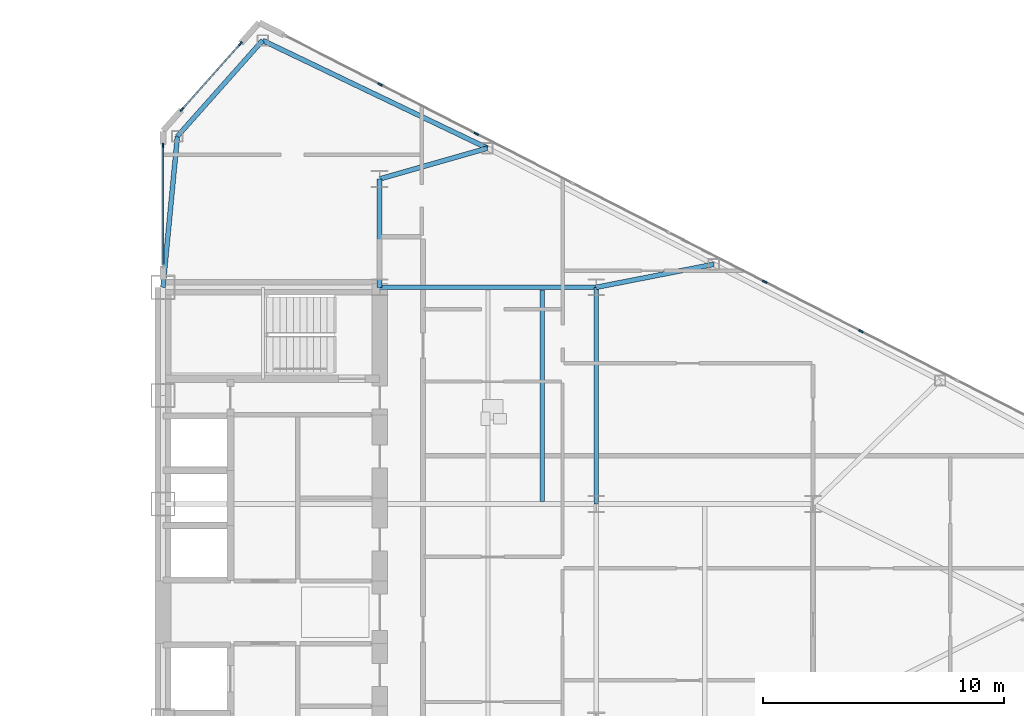
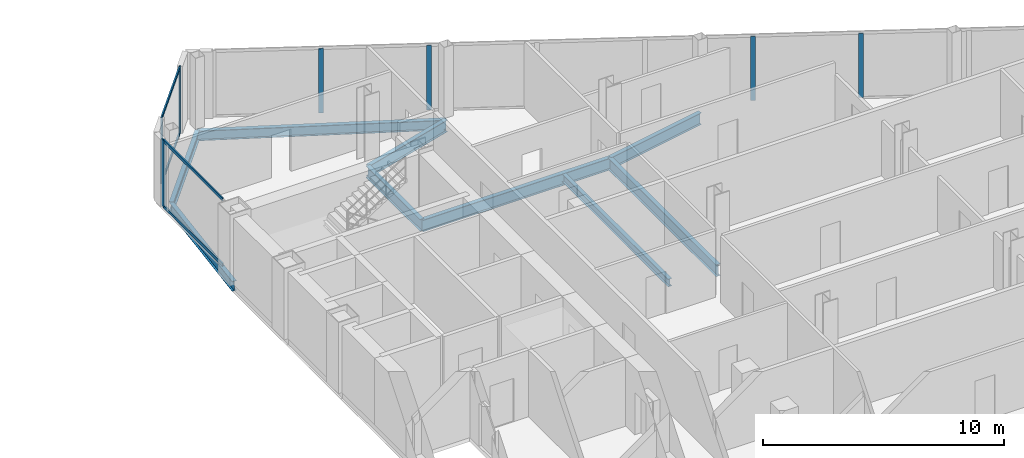
# One storey, part 11 of 24: 11 members, 9 beams, 3 elements without a shape of their own.
"""IFC4 building model written with IfcOpenShell, lengths in metres."""

from ifc_helpers import new_model, si_unit, direction, frame, origin, origin_2d, place, context, subcontext, project, spatial, rectangle, i_section, extrude, source, transform, mapped, material, layer, layer_set, material_profile, profile_set, type_object, type_shapes, element, aggregate, save


model = new_model("IFC4")

# Units and contexts
model_context = context("Model", 3, precision=1e-05, world=origin(), true_north=direction((0.0, 1.0)))
body_context = subcontext(model_context, "Body", "Model", "MODEL_VIEW")
ifc_project = project(units=[si_unit("LENGTHUNIT", "METRE"), si_unit("AREAUNIT", "SQUARE_METRE"), si_unit("VOLUMEUNIT", "CUBIC_METRE"), si_unit("PLANEANGLEUNIT", "RADIAN"), si_unit("MASSUNIT", "GRAM", prefix="KILO")], contexts=[model_context])

# Site, building, storey
site_placement = place(None, origin())
site = spatial("IfcSite", under=ifc_project, at=site_placement, CompositionType="ELEMENT")
building_placement = place(site_placement, origin())
building = spatial("IfcBuilding", under=site, at=building_placement, Name="Seokmaru Belvedere", CompositionType="ELEMENT")
storey_placement = place(building_placement, frame((0.0, 0.0, 114.0)))
storey = spatial("IfcBuildingStorey", under=building, at=storey_placement, Name="L30", CompositionType="ELEMENT", Elevation=114.0)

# Beams
ifc_material_1 = material(Name="Steel SM355 (355 MPa)", Category="steel")
ifc_material_profile_1 = material_profile(ifc_material_1, i_section(OverallWidth=0.199951171875, OverallDepth=0.60009765625, WebThickness=0.010986328125, FlangeThickness=0.01708984375, at=origin_2d()), Name="H-600x200x11x17")
ifc_profile_set_1 = profile_set([ifc_material_profile_1], Name="Steel SM355 (355 MPa)")
beam_type_1 = type_object("IfcBeamType", Name="Primary Floor Girder H-600", PredefinedType="BEAM", material=ifc_profile_set_1)
shared_shape_1 = source(origin(), body_context, "Body", "SweptSolid", [
    extrude(i_section(OverallWidth=0.199951171875, OverallDepth=0.60009765625, WebThickness=0.010986328125, FlangeThickness=0.01708984375, at=origin_2d()), origin(), (0.0, 0.0, 1.0), 9.0),
])
for number, where, z_axis, x_axis, name in (
    (1, (45.5, 4.5, -0.52001953125), (0.0, 1.0, 0.0), (-1.0, 0.0, 0.0), "L30 E Interior Grid Girder 3"),
    (2, (36.5, 13.5, -0.52001953125), (1.0, 0.0, 0.0), (0.0, 1.0, 0.0), "L30 E Wing Primary Girder 4"),
):
    element("IfcBeam", number, at=place(storey_placement, frame(where, z_axis=z_axis, x_axis=x_axis)), inside=storey, type_object=beam_type_1, Name=name, PredefinedType="BEAM", context=body_context, shape_type="MappedRepresentation", body=[
        mapped(shared_shape_1, transform((0.0, 0.0, 0.0), scale=1.0)),
    ])
ifc_material_profile_2 = material_profile(ifc_material_1, i_section(OverallWidth=0.18505859375, OverallDepth=0.389892578125, WebThickness=0.008056640625, FlangeThickness=0.011962890625, at=origin_2d()), Name="H-390x185x8x12")
ifc_profile_set_2 = profile_set([ifc_material_profile_2], Name="Steel SM355 (355 MPa)")
beam_type_2 = type_object("IfcBeamType", Name="Secondary Floor Joist H-350", PredefinedType="JOIST", material=ifc_profile_set_2)
shared_shape_2 = source(origin(), body_context, "Body", "SweptSolid", [
    extrude(i_section(OverallWidth=0.18505859375, OverallDepth=0.389892578125, WebThickness=0.008056640625, FlangeThickness=0.011962890625, at=origin_2d()), origin(), (0.0, 0.0, 1.0), 8.7900390625),
])
type_shapes(beam_type_2, [shared_shape_2])
beam_1_placement = place(storey_placement, frame((43.25, 4.60498046875, -0.4150390625), z_axis=(0.0, 1.0, 0.0), x_axis=(-1.0, 0.0, 0.0)))
element("IfcBeam", 3, at=beam_1_placement, inside=storey, type_object=beam_type_2, Name="L30 E Wing Inner Secondary Joist 2", PredefinedType="JOIST", context=body_context, shape_type="MappedRepresentation", body=[
    mapped(shared_shape_2, transform((0.0, 0.0, 0.0), scale=1.0)),
])
shared_shape_3 = source(origin(), body_context, "Body", "SweptSolid", [
    extrude(i_section(OverallWidth=0.199951171875, OverallDepth=0.60009765625, WebThickness=0.010986328125, FlangeThickness=0.01708984375, at=origin_2d()), origin(), (0.0, 0.0, 1.0), 4.5),
])
beam_2_placement = place(storey_placement, frame((36.5, 13.5, -0.52001953125), z_axis=(0.0, 1.0, 0.0), x_axis=(-1.0, 0.0, 0.0)))
element("IfcBeam", 4, at=beam_2_placement, inside=storey, type_object=beam_type_1, Name="L30 E Core Shoulder Girder N", PredefinedType="BEAM", context=body_context, shape_type="MappedRepresentation", body=[
    mapped(shared_shape_3, transform((0.0, 0.0, 0.0), scale=1.0)),
])
ifc_material_profile_3 = material_profile(ifc_material_1, i_section(OverallWidth=0.199951171875, OverallDepth=0.5, WebThickness=0.010009765625, FlangeThickness=0.01611328125, at=origin_2d()), Name="H-500x200x10x16")
ifc_profile_set_3 = profile_set([ifc_material_profile_3], Name="Steel SM355 (355 MPa)")
beam_type_3 = type_object("IfcBeamType", Name="Perimeter Spandrel Beam H-500", PredefinedType="SPANDREL", material=ifc_profile_set_3)
shared_shape_4 = source(origin(), body_context, "Body", "SweptSolid", [
    extrude(i_section(OverallWidth=0.199951171875, OverallDepth=0.5, WebThickness=0.010009765625, FlangeThickness=0.01611328125, at=origin_2d()), origin(), (0.0, 0.0, 1.0), 10.353759765625),
])
beam_3_placement = place(storey_placement, frame((31.6396484375, 23.75390625, -0.469970703125), z_axis=(0.901713202822, -0.432334708134, 0.0), x_axis=(0.432334708134, 0.901713202822, 0.0)))
element("IfcBeam", 5, at=beam_3_placement, inside=storey, type_object=beam_type_3, Name="L30 E Faceted Flank Spandrel N-1", PredefinedType="SPANDREL", context=body_context, shape_type="MappedRepresentation", body=[
    mapped(shared_shape_4, transform((0.0, 0.0, 0.0), scale=1.0)),
])
shared_shape_5 = source(origin(), body_context, "Body", "SweptSolid", [
    extrude(i_section(OverallWidth=0.199951171875, OverallDepth=0.5, WebThickness=0.010009765625, FlangeThickness=0.01611328125, at=origin_2d()), origin(), (0.0, 0.0, 1.0), 5.32763671875),
])
beam_4_placement = place(storey_placement, frame((31.6396484375, 23.75390625, -0.469970703125), z_axis=(-0.66436952742, -0.74740426212, 0.0), x_axis=(0.74740426212, -0.66436952742, 0.0)))
element("IfcBeam", 6, at=beam_4_placement, inside=storey, type_object=beam_type_3, Name="L30 E Shoulder Chamfer Spandrel N", PredefinedType="SPANDREL", context=body_context, shape_type="MappedRepresentation", body=[
    mapped(shared_shape_5, transform((0.0, 0.0, 0.0), scale=1.0)),
])
shared_shape_6 = source(origin(), body_context, "Body", "SweptSolid", [
    extrude(i_section(OverallWidth=0.199951171875, OverallDepth=0.5, WebThickness=0.010009765625, FlangeThickness=0.01611328125, at=origin_2d()), origin(), (0.0, 0.0, 1.0), 6.300537109375),
])
type_shapes(beam_type_3, [shared_shape_4, shared_shape_5, shared_shape_6])
beam_5_placement = place(storey_placement, frame((28.10009765625, 19.77197265625, -0.469970703125), z_axis=(-0.095244287992, -0.995453929424, 0.0), x_axis=(0.995453929424, -0.095244287992, 0.0)))
element("IfcBeam", 7, at=beam_5_placement, inside=storey, type_object=beam_type_3, Name="L30 E Shoulder Spine Spandrel N", PredefinedType="SPANDREL", context=body_context, shape_type="MappedRepresentation", body=[
    mapped(shared_shape_6, transform((0.0, 0.0, 0.0), scale=1.0)),
])
shared_shape_7 = source(origin(), body_context, "Body", "SweptSolid", [
    extrude(i_section(OverallWidth=0.199951171875, OverallDepth=0.60009765625, WebThickness=0.010986328125, FlangeThickness=0.01708984375, at=origin_2d()), origin(), (0.0, 0.0, 1.0), 4.654541015625),
])
beam_6_placement = place(storey_placement, frame((40.975830078125, 19.277587890625, -0.52001953125), z_axis=(-0.961593192625, -0.274478654721, 0.0), x_axis=(0.274478654721, -0.961593192625, 0.0)))
element("IfcBeam", 8, at=beam_6_placement, inside=storey, type_object=beam_type_1, Name="L30 E Flank Radial Floor Girder N-1", PredefinedType="BEAM", context=body_context, shape_type="MappedRepresentation", body=[
    mapped(shared_shape_7, transform((0.0, 0.0, 0.0), scale=1.0)),
])
shared_shape_8 = source(origin(), body_context, "Body", "SweptSolid", [
    extrude(i_section(OverallWidth=0.199951171875, OverallDepth=0.60009765625, WebThickness=0.010986328125, FlangeThickness=0.01708984375, at=origin_2d()), origin(), (0.0, 0.0, 1.0), 4.969482421875),
])
type_shapes(beam_type_1, [shared_shape_1, shared_shape_3, shared_shape_7, shared_shape_8])
beam_7_placement = place(storey_placement, frame((50.377197265625, 14.453369140625, -0.52001953125), z_axis=(-0.98142544456, -0.19184393858, 0.0), x_axis=(0.19184393858, -0.98142544456, 0.0)))
element("IfcBeam", 9, at=beam_7_placement, inside=storey, type_object=beam_type_1, Name="L30 E Flank Radial Floor Girder N-2", PredefinedType="BEAM", context=body_context, shape_type="MappedRepresentation", body=[
    mapped(shared_shape_8, transform((0.0, 0.0, 0.0), scale=1.0)),
])

# Curtain wall, members
ifc_material_2 = material(Name="Bronze Triple Insulating Glass", Category="glass")
ifc_layer = layer(ifc_material_2, 0.195068359375)
ifc_layer_set = layer_set([ifc_layer], Name="Bronze Triple Insulating Glass")
curtain_wall_type = type_object("IfcCurtainWallType", Name="Sky-Lobby and Mid-Rise Curtain Wall System CW-4", PredefinedType="NOTDEFINED", material=ifc_layer_set)
curtain_wall_1_placement = place(storey_placement, origin())
curtain_wall_1 = element("IfcCurtainWall", 10, at=curtain_wall_1_placement, inside=storey, type_object=curtain_wall_type, Name="L30 Curtain Wall EF4", PredefinedType="NOTDEFINED")
ifc_material_3 = material(Name="Anodised Bronze Aluminium", Category="aluminium")
ifc_material_profile_4 = material_profile(ifc_material_3, rectangle(XDim=0.070068359375, YDim=0.195068359375, at=origin_2d()), Name="CW-M-70x195")
ifc_profile_set_4 = profile_set([ifc_material_profile_4], Name="Anodised Bronze Aluminium")
member_type_1 = type_object("IfcMemberType", Name="Bronze Unitised Mullion 70x195", PredefinedType="MULLION", material=ifc_profile_set_4)
shared_shape_9 = source(origin(), body_context, "Body", "SweptSolid", [
    extrude(rectangle(XDim=0.070068359375, YDim=0.195068359375, at=origin_2d()), origin(), (0.0, 0.0, 1.0), 3.3798828125),
])
member_1_placement = place(storey_placement, frame((30.712646484375, 23.6142578125, 0.0), z_axis=(0.0, 0.0, 1.0), x_axis=(0.747409774804, -0.664363325694, 0.0)))
member_1 = element("IfcMember", 11, at=member_1_placement, type_object=member_type_1, Name="CW:L30:EF4 Mullion 1", PredefinedType="MULLION", context=body_context, shape_type="MappedRepresentation", body=[
    mapped(shared_shape_9, transform((0.0, 0.0, 0.0), scale=1.0)),
])
member_2_placement = place(storey_placement, frame((28.287353515625, 20.8857421875, 0.0), z_axis=(0.0, 0.0, 1.0), x_axis=(0.747409774804, -0.664363325694, 0.0)))
member_2 = element("IfcMember", 12, at=member_2_placement, type_object=member_type_1, Name="CW:L30:EF4 Mullion 2", PredefinedType="MULLION", context=body_context, shape_type="MappedRepresentation", body=[
    mapped(shared_shape_9, transform((0.0, 0.0, 0.0), scale=1.0)),
])

curtain_wall_2_placement = place(storey_placement, origin())
curtain_wall_2 = element("IfcCurtainWall", 13, at=curtain_wall_2_placement, inside=storey, type_object=curtain_wall_type, Name="L30 Curtain Wall ESP_2", PredefinedType="NOTDEFINED")
member_3_placement = place(storey_placement, frame((27.5, 19.39501953125, 0.0), z_axis=(0.0, 0.0, 1.0), x_axis=(1.0, 0.0, 0.0)))
member_3 = element("IfcMember", 14, at=member_3_placement, type_object=member_type_1, Name="CW:L30:ESP_2 Mullion 1", PredefinedType="MULLION", context=body_context, shape_type="MappedRepresentation", body=[
    mapped(shared_shape_9, transform((0.0, 0.0, 0.0), scale=1.0)),
])
ifc_material_profile_5 = material_profile(ifc_material_3, rectangle(XDim=0.06494140625, YDim=0.14990234375, at=origin_2d()), Name="CW-T-65x150")
ifc_profile_set_5 = profile_set([ifc_material_profile_5], Name="Anodised Bronze Aluminium")
member_type_2 = type_object("IfcMemberType", Name="Bronze Unitised Transom 65x150", PredefinedType="USERDEFINED", material=ifc_profile_set_5)
shared_shape_10 = source(origin(), body_context, "Body", "SweptSolid", [
    extrude(rectangle(XDim=0.06494140625, YDim=0.14990234375, at=origin_2d()), origin(), (0.0, 0.0, 1.0), 4.91015625),
])
member_4_placement = place(storey_placement, frame((27.5, 19.360107421875, 0.032470703125), z_axis=(0.0, -1.0, 0.0), x_axis=(1.0, 0.0, 0.0)))
member_4 = element("IfcMember", 15, at=member_4_placement, type_object=member_type_2, Name="CW:L30:ESP_2 Continuous Transom 1", ObjectType="TRANSOM", PredefinedType="USERDEFINED", context=body_context, shape_type="MappedRepresentation", body=[
    mapped(shared_shape_10, transform((0.0, 0.0, 0.0), scale=1.0)),
])
member_5_placement = place(storey_placement, frame((27.5, 19.360107421875, 3.347412109375), z_axis=(0.0, -1.0, 0.0), x_axis=(1.0, 0.0, 0.0)))
member_5 = element("IfcMember", 16, at=member_5_placement, type_object=member_type_2, Name="CW:L30:ESP_2 Continuous Transom 2", ObjectType="TRANSOM", PredefinedType="USERDEFINED", context=body_context, shape_type="MappedRepresentation", body=[
    mapped(shared_shape_10, transform((0.0, 0.0, 0.0), scale=1.0)),
])
aggregate(curtain_wall_2, [member_3, member_4, member_5])

# Member
shared_shape_11 = source(origin(), body_context, "Body", "SweptSolid", [
    extrude(rectangle(XDim=0.06494140625, YDim=0.14990234375, at=origin_2d()), origin(), (0.0, 0.0, 1.0), 3.580810546875),
])
type_shapes(member_type_2, [shared_shape_10, shared_shape_11])
member_6_placement = place(storey_placement, frame((30.689453125, 23.588134765625, 0.032470703125), z_axis=(-0.66436383883, -0.747409318684, 0.0), x_axis=(0.747409318684, -0.66436383883, 0.0)))
member_6 = element("IfcMember", 17, at=member_6_placement, type_object=member_type_2, Name="CW:L30:EF4 Continuous Transom 1", ObjectType="TRANSOM", PredefinedType="USERDEFINED", context=body_context, shape_type="MappedRepresentation", body=[
    mapped(shared_shape_11, transform((0.0, 0.0, 0.0), scale=1.0)),
])

member_7_placement = place(storey_placement, frame((30.689453125, 23.588134765625, 3.347412109375), z_axis=(-0.66436383883, -0.747409318684, 0.0), x_axis=(0.747409318684, -0.66436383883, 0.0)))
member_7 = element("IfcMember", 18, at=member_7_placement, type_object=member_type_2, Name="CW:L30:EF4 Continuous Transom 2", ObjectType="TRANSOM", PredefinedType="USERDEFINED", context=body_context, shape_type="MappedRepresentation", body=[
    mapped(shared_shape_11, transform((0.0, 0.0, 0.0), scale=1.0)),
])

aggregate(curtain_wall_1, [member_1, member_2, member_6, member_7])

# Curtain wall, members
curtain_wall_3_placement = place(storey_placement, origin())
curtain_wall_3 = element("IfcCurtainWall", 19, at=curtain_wall_3_placement, inside=storey, type_object=curtain_wall_type, Name="L30 Curtain Wall EF3", PredefinedType="NOTDEFINED")
shared_shape_12 = source(origin(), body_context, "Body", "SweptSolid", [
    extrude(rectangle(XDim=0.070068359375, YDim=0.195068359375, at=origin_2d()), origin(), (0.0, 0.0, 1.0), 3.25),
])
type_shapes(member_type_1, [shared_shape_9, shared_shape_12])
member_8_placement = place(storey_placement, frame((56.4921875, 11.675048828125, 0.06494140625), z_axis=(0.0, 0.0, 1.0), x_axis=(-0.456554528263, -0.889695432562, 0.0)))
member_8 = element("IfcMember", 20, at=member_8_placement, type_object=member_type_1, Name="CW:L30:EF3 Mullion 4", PredefinedType="MULLION", context=body_context, shape_type="MappedRepresentation", body=[
    mapped(shared_shape_12, transform((0.0, 0.0, 0.0), scale=1.0)),
])
member_9_placement = place(storey_placement, frame((52.497314453125, 13.72509765625, 0.06494140625), z_axis=(0.0, 0.0, 1.0), x_axis=(-0.456554528263, -0.889695432562, 0.0)))
member_9 = element("IfcMember", 21, at=member_9_placement, type_object=member_type_1, Name="CW:L30:EF3 Mullion 5", PredefinedType="MULLION", context=body_context, shape_type="MappedRepresentation", body=[
    mapped(shared_shape_12, transform((0.0, 0.0, 0.0), scale=1.0)),
])
member_10_placement = place(storey_placement, frame((40.5126953125, 19.875, 0.06494140625), z_axis=(0.0, 0.0, 1.0), x_axis=(-0.456554528263, -0.889695432562, 0.0)))
member_10 = element("IfcMember", 22, at=member_10_placement, type_object=member_type_1, Name="CW:L30:EF3 Mullion 8", PredefinedType="MULLION", context=body_context, shape_type="MappedRepresentation", body=[
    mapped(shared_shape_12, transform((0.0, 0.0, 0.0), scale=1.0)),
])
member_11_placement = place(storey_placement, frame((36.51806640625, 21.925048828125, 0.06494140625), z_axis=(0.0, 0.0, 1.0), x_axis=(-0.456554528263, -0.889695432562, 0.0)))
member_11 = element("IfcMember", 23, at=member_11_placement, type_object=member_type_1, Name="CW:L30:EF3 Mullion 9", PredefinedType="MULLION", context=body_context, shape_type="MappedRepresentation", body=[
    mapped(shared_shape_12, transform((0.0, 0.0, 0.0), scale=1.0)),
])
aggregate(curtain_wall_3, [member_8, member_9, member_10, member_11])

save(model, "model.ifc")
